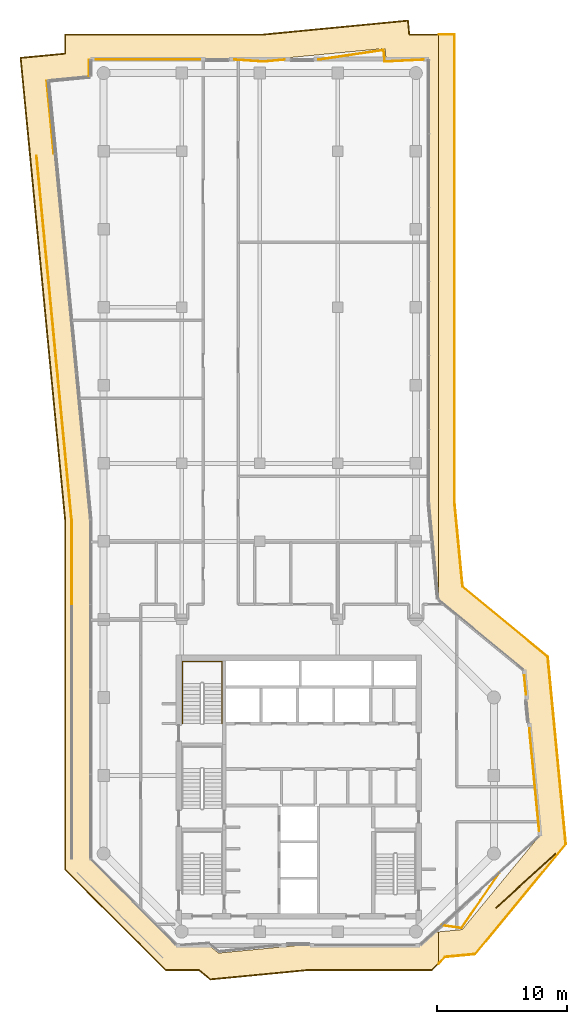
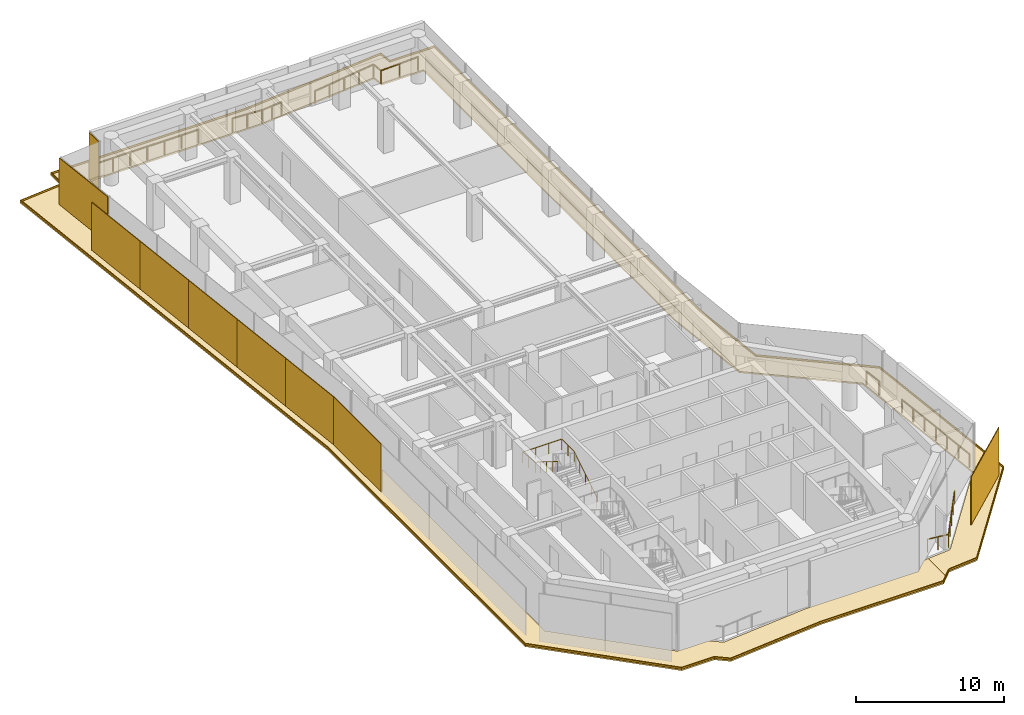
# One storey, part 23 of 23: 13 coverings, 7 railings.
"""IFC4 building model written with IfcOpenShell, lengths in metres."""

from ifc_helpers import new_model, si_unit, direction, frame, origin, origin_2d, place, context, subcontext, project, spatial, polyline, rectangle, circle, outline, extrude, material, layer, layer_set, type_object, element, save


model = new_model("IFC4")

# Units and contexts
model_context = context("Model", 3, precision=1e-05, world=origin(), true_north=direction((0.0, 1.0)))
body_context = subcontext(model_context, "Body", "Model", "MODEL_VIEW")
ifc_project = project(units=[si_unit("LENGTHUNIT", "METRE"), si_unit("AREAUNIT", "SQUARE_METRE"), si_unit("VOLUMEUNIT", "CUBIC_METRE"), si_unit("PLANEANGLEUNIT", "RADIAN"), si_unit("MASSUNIT", "GRAM", prefix="KILO")], contexts=[model_context])

# Site, building, storey
site_placement = place(None, origin())
site = spatial("IfcSite", under=ifc_project, at=site_placement, CompositionType="ELEMENT")
building_placement = place(site_placement, origin())
building = spatial("IfcBuilding", under=site, at=building_placement, Name="Welwitschia Terrace Campus", CompositionType="ELEMENT")
storey_placement = place(building_placement, frame((0.0, 0.0, 205.39990234375)))
storey = spatial("IfcBuildingStorey", under=building, at=storey_placement, Name="L45", CompositionType="ELEMENT", Elevation=205.39990234375)

# Coverings
ifc_material_1 = material(Name="Bronze mesh aluminium screen", Category="aluminium")
ifc_layer_1 = layer(ifc_material_1, 0.06005859375)
ifc_layer_set_1 = layer_set([ifc_layer_1], Name="Bronze mesh aluminium screen")
covering_type_1 = type_object("IfcCoveringType", Name="Bronze screen 60", PredefinedType="USERDEFINED", material=ifc_layer_set_1)
covering_1_placement = place(storey_placement, frame((-2.4599609375, 32.40576171875, 0.0), z_axis=(0.0, 0.0, 1.0), x_axis=(0.0, -1.0, 0.0)))
element("IfcCovering", 1, at=covering_1_placement, inside=storey, type_object=covering_type_1, Name="Screen L45.0.0", ObjectType="SCREEN", PredefinedType="USERDEFINED", context=body_context, shape_type="SweptSolid", body=[
    extrude(rectangle(XDim=6.50341796875, YDim=0.06005859375, at=origin_2d()), origin(), (0.0, 0.0, 1.0), 3.949951171875),
])
covering_2_placement = place(storey_placement, frame((32.444580078125, 7.900390625, 0.0), z_axis=(0.0, 0.0, 1.0), x_axis=(0.739585904921, 0.673062173385, 0.0)))
element("IfcCovering", 2, at=covering_2_placement, inside=storey, type_object=covering_type_1, Name="Screen L45.3.1", ObjectType="SCREEN", PredefinedType="USERDEFINED", context=body_context, shape_type="SweptSolid", body=[
    extrude(rectangle(XDim=6.191650390625, YDim=0.06005859375, at=origin_2d()), origin(), (0.0, 0.0, 1.0), 3.949951171875),
])
covering_3_placement = place(storey_placement, frame((-1.1201171875, 70.3876953125, 0.0), z_axis=(0.0, 0.0, 1.0), x_axis=(0.0, -1.0, 0.0)))
element("IfcCovering", 3, at=covering_3_placement, inside=storey, type_object=covering_type_1, Name="Screen L45.9.0", ObjectType="SCREEN", PredefinedType="USERDEFINED", context=body_context, shape_type="SweptSolid", body=[
    extrude(rectangle(XDim=1.264404296875, YDim=0.06005859375, at=origin_2d()), origin(), (0.0, 0.0, 1.0), 3.85009765625),
])
covering_4_placement = place(storey_placement, frame((-4.099853515625, 66.610107421875, 0.0), z_axis=(0.0, 0.0, 1.0), x_axis=(0.09584575252, -0.995396198367, 0.0)))
element("IfcCovering", 4, at=covering_4_placement, inside=storey, type_object=covering_type_1, Name="Screen L45.11.0", ObjectType="SCREEN", PredefinedType="USERDEFINED", context=body_context, shape_type="SweptSolid", body=[
    extrude(rectangle(XDim=5.633544921875, YDim=0.06005859375, at=origin_2d()), origin(), (0.0, 0.0, 1.0), 3.85009765625),
])
for number, where, z_axis, x_axis, name in (
    (5, (-4.891845703125, 60.854248046875, 0.0), (0.0, 0.0, 1.0), (0.09584575252, -0.995396198367, 0.0), "Screen L45.11.1"),
    (6, (-4.35009765625, 55.226806640625, 0.0), (0.0, 0.0, 1.0), (0.09584575252, -0.995396198367, 0.0), "Screen L45.11.2"),
    (7, (-3.80810546875, 49.59912109375, 0.0), (0.0, 0.0, 1.0), (0.09584575252, -0.995396198367, 0.0), "Screen L45.11.3"),
    (8, (-3.26611328125, 43.9716796875, 0.0), (0.0, 0.0, 1.0), (0.09584575252, -0.995396198367, 0.0), "Screen L45.11.4"),
    (9, (-2.724365234375, 38.34423828125, 0.0), (0.0, 0.0, 1.0), (0.09584575252, -0.995396198367, 0.0), "Screen L45.11.5"),
):
    element("IfcCovering", number, at=place(storey_placement, frame(where, z_axis=z_axis, x_axis=x_axis)), inside=storey, type_object=covering_type_1, Name=name, ObjectType="SCREEN", PredefinedType="USERDEFINED", context=body_context, shape_type="SweptSolid", body=[
        extrude(rectangle(XDim=5.633544921875, YDim=0.06005859375, at=origin_2d()), origin(), (0.0, 0.0, 1.0), 3.949951171875),
    ])

# Railings
ifc_material_2 = material(Name="Stainless steel grade 316", Category="steel")
railing_type_1 = type_object("IfcRailingType", Name="Guard 1100", PredefinedType="GUARDRAIL", material=ifc_material_2)
railing_1_placement = place(storey_placement, frame((-0.580078125, 71.030029296875, 0.0)))
element("IfcRailing", 10, at=railing_1_placement, inside=storey, type_object=railing_type_1, Name="Guard floor edge L45.0", PredefinedType="GUARDRAIL", context=body_context, shape_type="SweptSolid", body=[
    extrude(circle(Radius=0.02392578125, at=origin_2d()), frame((0.0, 0.0, 1.076171875), z_axis=(1.0, 0.0, 0.0), x_axis=(0.0, 1.0, 0.0)), (0.0, 0.0, 1.0), 7.998779296875),
    extrude(circle(Radius=0.02099609375, at=origin_2d()), origin(), (0.0, 0.0, 1.0), 1.052001953125),
    extrude(circle(Radius=0.02099609375, at=origin_2d()), frame((1.3330078125, 0.0, 0.0)), (0.0, 0.0, 1.0), 1.052001953125),
    extrude(circle(Radius=0.02099609375, at=origin_2d()), frame((2.666259765625, 0.0, 0.0)), (0.0, 0.0, 1.0), 1.052001953125),
    extrude(circle(Radius=0.02099609375, at=origin_2d()), frame((3.99951171875, 0.0, 0.0)), (0.0, 0.0, 1.0), 1.052001953125),
    extrude(circle(Radius=0.02099609375, at=origin_2d()), frame((5.33251953125, 0.0, 0.0)), (0.0, 0.0, 1.0), 1.052001953125),
    extrude(circle(Radius=0.02099609375, at=origin_2d()), frame((6.66552734375, 0.0, 0.0)), (0.0, 0.0, 1.0), 1.052001953125),
    extrude(circle(Radius=0.02099609375, at=origin_2d()), frame((7.998779296875, 0.0, 0.0)), (0.0, 0.0, 1.0), 1.052001953125),
])
railing_2_placement = place(storey_placement, frame((10.066162109375, 71.030029296875, 0.0)))
element("IfcRailing", 11, at=railing_2_placement, inside=storey, type_object=railing_type_1, Name="Guard floor edge L45.2", PredefinedType="GUARDRAIL", context=body_context, shape_type="SweptSolid", body=[
    extrude(circle(Radius=0.02392578125, at=origin_2d()), frame((0.0, 0.0, 1.076171875), z_axis=(0.997780844277, -0.066583682642, 0.0), x_axis=(0.066583682642, 0.997780844277, 0.0)), (0.0, 0.0, 1.0), 2.2548828125),
    extrude(circle(Radius=0.02392578125, at=origin_2d()), frame((2.25, -0.150146484375, 1.076171875), z_axis=(0.995391948155, 0.095889882412, 0.0), x_axis=(-0.095889882412, 0.995391948155, 0.0)), (0.0, 0.0, 1.0), 1.598876953125),
    extrude(circle(Radius=0.02099609375, at=origin_2d()), origin(), (0.0, 0.0, 1.0), 1.052001953125),
    extrude(circle(Radius=0.02099609375, at=origin_2d()), frame((1.125, -0.0751953125, 0.0)), (0.0, 0.0, 1.0), 1.052001953125),
    extrude(circle(Radius=0.02099609375, at=origin_2d()), frame((2.25, -0.150146484375, 0.0)), (0.0, 0.0, 1.0), 1.052001953125),
    extrude(circle(Radius=0.02099609375, at=origin_2d()), frame((3.0458984375, -0.073486328125, 0.0)), (0.0, 0.0, 1.0), 1.052001953125),
    extrude(circle(Radius=0.02099609375, at=origin_2d()), frame((3.841552734375, 0.003173828125, 0.0)), (0.0, 0.0, 1.0), 1.052001953125),
])
railing_3_placement = place(storey_placement, frame((16.527587890625, 71.030029296875, 0.0)))
element("IfcRailing", 12, at=railing_3_placement, inside=storey, type_object=railing_type_1, Name="Guard floor edge L45.4", PredefinedType="GUARDRAIL", context=body_context, shape_type="SweptSolid", body=[
    extrude(circle(Radius=0.02392578125, at=origin_2d()), frame((0.0, 0.0, 1.076171875), z_axis=(0.989307292943, 0.145846083695, 0.0), x_axis=(-0.145846083695, 0.989307292943, 0.0)), (0.0, 0.0, 1.0), 5.05029296875),
    extrude(circle(Radius=0.02392578125, at=origin_2d()), frame((4.996337890625, 0.736572265625, 1.076171875), z_axis=(0.0959212893, -0.99538892211, 0.0), x_axis=(0.99538892211, 0.0959212893, 0.0)), (0.0, 0.0, 1.0), 0.890869140625),
    extrude(circle(Radius=0.02392578125, at=origin_2d()), frame((5.081787109375, -0.150146484375, 1.076171875), z_axis=(0.998725174502, 0.050477973563, 0.0), x_axis=(-0.050477973563, 0.998725174502, 0.0)), (0.0, 0.0, 1.0), 2.974609375),
    extrude(circle(Radius=0.02099609375, at=origin_2d()), origin(), (0.0, 0.0, 1.0), 1.052001953125),
    extrude(circle(Radius=0.02099609375, at=origin_2d()), frame((1.2490234375, 0.18408203125, 0.0)), (0.0, 0.0, 1.0), 1.052001953125),
    extrude(circle(Radius=0.02099609375, at=origin_2d()), frame((2.498046875, 0.3681640625, 0.0)), (0.0, 0.0, 1.0), 1.052001953125),
    extrude(circle(Radius=0.02099609375, at=origin_2d()), frame((3.747314453125, 0.552490234375, 0.0)), (0.0, 0.0, 1.0), 1.052001953125),
    extrude(circle(Radius=0.02099609375, at=origin_2d()), frame((4.996337890625, 0.736572265625, 0.0)), (0.0, 0.0, 1.0), 1.052001953125),
    extrude(circle(Radius=0.02099609375, at=origin_2d()), frame((5.081787109375, -0.150146484375, 0.0)), (0.0, 0.0, 1.0), 1.052001953125),
    extrude(circle(Radius=0.02099609375, at=origin_2d()), frame((6.567138671875, -0.0751953125, 0.0)), (0.0, 0.0, 1.0), 1.052001953125),
    extrude(circle(Radius=0.02099609375, at=origin_2d()), frame((8.052490234375, 0.0, 0.0)), (0.0, 0.0, 1.0), 1.052001953125),
])
railing_4_placement = place(storey_placement, frame((30.4326171875, 8.5205078125, 0.0)))
element("IfcRailing", 13, at=railing_4_placement, inside=storey, type_object=railing_type_1, Name="Guard floor edge L45.5", PredefinedType="GUARDRAIL", context=body_context, shape_type="SweptSolid", body=[
    extrude(circle(Radius=0.02392578125, at=origin_2d()), frame((0.0, 0.0, 1.076171875), z_axis=(-0.567102785022, -0.823647030724, 0.0), x_axis=(0.823647030724, -0.567102785022, 0.0)), (0.0, 0.0, 1.0), 5.161865234375),
    extrude(circle(Radius=0.02392578125, at=origin_2d()), frame((-2.92724609375, -4.25146484375, 1.076171875), z_axis=(-0.989772206748, 0.142656856647, 0.0), x_axis=(-0.142656856647, -0.989772206748, 0.0)), (0.0, 0.0, 1.0), 1.521484375),
    extrude(circle(Radius=0.02099609375, at=origin_2d()), origin(), (0.0, 0.0, 1.0), 1.052001953125),
    extrude(circle(Radius=0.02099609375, at=origin_2d()), frame((-0.73193359375, -1.06298828125, 0.0)), (0.0, 0.0, 1.0), 1.052001953125),
    extrude(circle(Radius=0.02099609375, at=origin_2d()), frame((-1.463623046875, -2.125732421875, 0.0)), (0.0, 0.0, 1.0), 1.052001953125),
    extrude(circle(Radius=0.02099609375, at=origin_2d()), frame((-2.1953125, -3.1884765625, 0.0)), (0.0, 0.0, 1.0), 1.052001953125),
    extrude(circle(Radius=0.02099609375, at=origin_2d()), frame((-2.92724609375, -4.25146484375, 0.0)), (0.0, 0.0, 1.0), 1.052001953125),
    extrude(circle(Radius=0.02099609375, at=origin_2d()), frame((-3.68017578125, -4.14306640625, 0.0)), (0.0, 0.0, 1.0), 1.052001953125),
    extrude(circle(Radius=0.02099609375, at=origin_2d()), frame((-4.43310546875, -4.034423828125, 0.0)), (0.0, 0.0, 1.0), 1.052001953125),
])
railing_5_placement = place(storey_placement, frame((32.330078125, 23.7041015625, 0.0)))
element("IfcRailing", 14, at=railing_5_placement, inside=storey, type_object=railing_type_1, Name="Guard floor edge L45.6", PredefinedType="GUARDRAIL", context=body_context, shape_type="SweptSolid", body=[
    extrude(circle(Radius=0.02392578125, at=origin_2d()), frame((0.0, 0.0, 1.076171875), z_axis=(0.095925014615, -0.99538856311, 0.0), x_axis=(0.99538856311, 0.095925014615, 0.0)), (0.0, 0.0, 1.0), 1.466064453125),
    extrude(circle(Radius=0.02099609375, at=origin_2d()), origin(), (0.0, 0.0, 1.0), 1.052001953125),
    extrude(circle(Radius=0.02099609375, at=origin_2d()), frame((0.140625, -1.459228515625, 0.0)), (0.0, 0.0, 1.0), 1.052001953125),
])
railing_6_placement = place(storey_placement, frame((32.724609375, 19.609619140625, 0.0)))
element("IfcRailing", 15, at=railing_6_placement, inside=storey, type_object=railing_type_1, Name="Guard floor edge L45.7", PredefinedType="GUARDRAIL", context=body_context, shape_type="SweptSolid", body=[
    extrude(circle(Radius=0.02392578125, at=origin_2d()), frame((0.0, 0.0, 1.076171875), z_axis=(0.09583678089, -0.995397062196, 0.0), x_axis=(0.995397062196, 0.09583678089, 0.0)), (0.0, 0.0, 1.0), 7.89208984375),
    extrude(circle(Radius=0.02099609375, at=origin_2d()), origin(), (0.0, 0.0, 1.0), 1.052001953125),
    extrude(circle(Radius=0.02099609375, at=origin_2d()), frame((0.1259765625, -1.309326171875, 0.0)), (0.0, 0.0, 1.0), 1.052001953125),
    extrude(circle(Radius=0.02099609375, at=origin_2d()), frame((0.252197265625, -2.61865234375, 0.0)), (0.0, 0.0, 1.0), 1.052001953125),
    extrude(circle(Radius=0.02099609375, at=origin_2d()), frame((0.378173828125, -3.927734375, 0.0)), (0.0, 0.0, 1.0), 1.052001953125),
    extrude(circle(Radius=0.02099609375, at=origin_2d()), frame((0.504150390625, -5.237060546875, 0.0)), (0.0, 0.0, 1.0), 1.052001953125),
    extrude(circle(Radius=0.02099609375, at=origin_2d()), frame((0.63037109375, -6.54638671875, 0.0)), (0.0, 0.0, 1.0), 1.052001953125),
    extrude(circle(Radius=0.02099609375, at=origin_2d()), frame((0.75634765625, -7.855712890625, 0.0)), (0.0, 0.0, 1.0), 1.052001953125),
])
ifc_material_3 = material(Name="Steel S355", Category="steel")
railing_type_2 = type_object("IfcRailingType", Name="Stair handrail 900", PredefinedType="HANDRAIL", material=ifc_material_3)
railing_7_placement = place(storey_placement, frame((9.10009765625, 20.0, 0.175048828125)))
element("IfcRailing", 16, at=railing_7_placement, inside=storey, type_object=railing_type_2, Name="L45 S4 stair handrail", PredefinedType="HANDRAIL", context=body_context, shape_type="SweptSolid", body=[
    extrude(circle(Radius=0.02392578125, at=origin_2d()), frame((0.0, 0.0, 0.8759765625), z_axis=(0.0, 0.847998304005, 0.529998940003), x_axis=(-1.0, 0.0, 0.0)), (0.0, 0.0, 1.0), 3.632080078125),
    extrude(circle(Radius=0.02392578125, at=origin_2d()), frame((0.0, 3.080078125, 2.80078125), z_axis=(0.0, 1.0, 0.0), x_axis=(-1.0, 0.0, 0.0)), (0.0, 0.0, 1.0), 1.669921875),
    extrude(circle(Radius=0.02392578125, at=origin_2d()), frame((0.0, 4.75, 2.80078125), z_axis=(-1.0, 0.0, 0.0), x_axis=(0.0, -1.0, 0.0)), (0.0, 0.0, 1.0), 3.050048828125),
    extrude(circle(Radius=0.02392578125, at=origin_2d()), frame((-3.050048828125, 4.75, 2.80078125), z_axis=(0.0, -0.99455077262, 0.104253348533), x_axis=(1.0, 0.0, 0.0)), (0.0, 0.0, 1.0), 1.678955078125),
    extrude(circle(Radius=0.02392578125, at=origin_2d()), frame((-3.050048828125, 3.080078125, 2.97607421875), z_axis=(0.0, -0.847998304005, 0.529998940003), x_axis=(1.0, 0.0, 0.0)), (0.0, 0.0, 1.0), 3.632080078125),
    extrude(circle(Radius=0.02099609375, at=origin_2d()), origin(), (0.0, 0.0, 1.0), 0.851806640625),
    extrude(circle(Radius=0.02099609375, at=origin_2d()), frame((0.0, 0.77001953125, 0.481201171875)), (0.0, 0.0, 1.0), 0.851806640625),
    extrude(circle(Radius=0.02099609375, at=origin_2d()), frame((0.0, 1.5400390625, 0.96240234375)), (0.0, 0.0, 1.0), 0.851806640625),
    extrude(circle(Radius=0.02099609375, at=origin_2d()), frame((0.0, 2.31005859375, 1.44384765625)), (0.0, 0.0, 1.0), 0.851806640625),
    extrude(circle(Radius=0.02099609375, at=origin_2d()), frame((0.0, 3.080078125, 1.925048828125)), (0.0, 0.0, 1.0), 0.851806640625),
    extrude(circle(Radius=0.02099609375, at=origin_2d()), frame((0.0, 3.9150390625, 1.925048828125)), (0.0, 0.0, 1.0), 0.851806640625),
    extrude(circle(Radius=0.02099609375, at=origin_2d()), frame((0.0, 4.75, 1.925048828125)), (0.0, 0.0, 1.0), 0.851806640625),
    extrude(circle(Radius=0.02099609375, at=origin_2d()), frame((-1.0166015625, 4.75, 1.925048828125)), (0.0, 0.0, 1.0), 0.851806640625),
    extrude(circle(Radius=0.02099609375, at=origin_2d()), frame((-2.033447265625, 4.75, 1.925048828125)), (0.0, 0.0, 1.0), 0.851806640625),
    extrude(circle(Radius=0.02099609375, at=origin_2d()), frame((-3.050048828125, 4.75, 1.925048828125)), (0.0, 0.0, 1.0), 0.851806640625),
    extrude(circle(Radius=0.02099609375, at=origin_2d()), frame((-3.050048828125, 3.9150390625, 2.0126953125)), (0.0, 0.0, 1.0), 0.851806640625),
    extrude(circle(Radius=0.02099609375, at=origin_2d()), frame((-3.050048828125, 3.080078125, 2.10009765625)), (0.0, 0.0, 1.0), 0.851806640625),
    extrude(circle(Radius=0.02099609375, at=origin_2d()), frame((-3.050048828125, 2.31005859375, 2.581298828125)), (0.0, 0.0, 1.0), 0.851806640625),
    extrude(circle(Radius=0.02099609375, at=origin_2d()), frame((-3.050048828125, 1.5400390625, 3.0625)), (0.0, 0.0, 1.0), 0.851806640625),
    extrude(circle(Radius=0.02099609375, at=origin_2d()), frame((-3.050048828125, 0.77001953125, 3.5439453125)), (0.0, 0.0, 1.0), 0.851806640625),
    extrude(circle(Radius=0.02099609375, at=origin_2d()), frame((-3.050048828125, 0.0, 4.025146484375)), (0.0, 0.0, 1.0), 0.851806640625),
])

# Coverings
ifc_material_4 = material(Name="Bronze anodised aluminium", Category="aluminium")
ifc_layer_2 = layer(ifc_material_4, 0.1201171875)
ifc_layer_set_2 = layer_set([ifc_layer_2], Name="Bronze anodised aluminium")
covering_type_2 = type_object("IfcCoveringType", Name="Sunshade band 2000", PredefinedType="USERDEFINED", material=ifc_layer_set_2)
covering_5_placement = place(storey_placement, frame((0.0, 0.0, -0.25)))
element("IfcCovering", 17, at=covering_5_placement, inside=storey, type_object=covering_type_2, Name="SUNSHADE L45.SW0", ObjectType="SUNSHADE", PredefinedType="USERDEFINED", context=body_context, shape_type="SweptSolid", body=[
    extrude(outline(polyline([(-3.0, 71.534912109375), (-3.0, 73.0), (12.21435546875, 73.0), (23.430908203125, 74.080078125), (23.534912109375, 73.0), (25.75146484375, 73.0), (25.75146484375, 29.4765625), (25.71337890625, 29.5078125), (25.0, 36.917724609375), (25.0, 71.0), (21.71826171875, 71.0), (21.6318359375, 71.8974609375), (12.310546875, 71.0), (-1.0, 71.0), (-1.0, 69.71826171875), (-4.24853515625, 69.405517578125), (-1.0, 35.6689453125), (-1.0, 9.585693359375), (5.585693359375, 3.0), (8.035888671875, 3.0), (8.824462890625, 2.349853515625), (15.57666015625, 3.0), (24.414306640625, 3.0), (25.355712890625, 3.941650390625), (25.75146484375, 3.979736328125), (25.75146484375, 1.5087890625), (25.24267578125, 1.0), (15.6728515625, 1.0), (8.191650390625, 0.279541015625), (7.317626953125, 1.0), (4.75732421875, 1.0), (-3.0, 8.75732421875), (-3.0, 35.57275390625), (-6.430908203125, 71.20458984375), (-3.0, 71.534912109375)])), origin(), (0.0, 0.0, 1.0), 0.1201171875),
])
covering_6_placement = place(storey_placement, frame((0.0, 0.0, -0.25)))
element("IfcCovering", 18, at=covering_6_placement, inside=storey, type_object=covering_type_2, Name="SUNSHADE L45.SE0", ObjectType="SUNSHADE", PredefinedType="USERDEFINED", context=body_context, shape_type="SweptSolid", body=[
    extrude(outline(polyline([(27.0, 73.0), (27.0, 37.013916015625), (27.625, 30.524169921875), (34.17236328125, 25.126708984375), (35.560791015625, 10.708251953125), (28.58251953125, 2.2431640625), (26.26220703125, 2.019775390625), (25.75146484375, 1.5087890625), (25.75146484375, 3.979736328125), (27.56640625, 4.154541015625), (33.490478515625, 11.341064453125), (32.260986328125, 24.110595703125), (25.75146484375, 29.4765625), (25.75146484375, 73.0), (27.0, 73.0)])), origin(), (0.0, 0.0, 1.0), 0.1201171875),
])
ifc_material_5 = material(Name="Bronze anodised aluminium", Category="aluminium")
ifc_layer_3 = layer(ifc_material_5, 0.06005859375)
ifc_layer_set_3 = layer_set([ifc_layer_3], Name="Bronze anodised aluminium")
covering_type_3 = type_object("IfcCoveringType", Name="Sunshade lip 60", PredefinedType="USERDEFINED", material=ifc_layer_set_3)
covering_7_placement = place(storey_placement, frame((0.0, 0.0, -0.1298828125)))
element("IfcCovering", 19, at=covering_7_placement, inside=storey, type_object=covering_type_3, Name="SUNSHADE LIP L45.SW0.0", ObjectType="SUNSHADE", PredefinedType="USERDEFINED", context=body_context, shape_type="SweptSolid", body=[
    extrude(outline(polyline([(-3.0, 73.0), (12.21435546875, 73.0), (23.430908203125, 74.080078125), (23.534912109375, 73.0), (25.75146484375, 73.0), (25.75146484375, 72.93994140625), (23.48046875, 72.93994140625), (23.376953125, 74.0146484375), (12.21728515625, 72.93994140625), (-2.93994140625, 72.93994140625), (-2.93994140625, 71.48046875), (-6.365478515625, 71.150634765625), (-2.93994140625, 35.57568359375), (-2.93994140625, 8.7822265625), (4.7822265625, 1.06005859375), (7.33935546875, 1.06005859375), (8.210693359375, 0.341796875), (15.669921875, 1.06005859375), (25.2177734375, 1.06005859375), (25.75146484375, 1.59375), (25.75146484375, 1.5087890625), (25.24267578125, 1.0), (15.6728515625, 1.0), (8.191650390625, 0.279541015625), (7.317626953125, 1.0), (4.75732421875, 1.0), (-3.0, 8.75732421875), (-3.0, 35.57275390625), (-6.430908203125, 71.20458984375), (-3.0, 71.534912109375), (-3.0, 73.0)])), origin(), (0.0, 0.0, 1.0), 0.1298828125),
])
covering_8_placement = place(storey_placement, frame((0.0, 0.0, -0.1298828125)))
element("IfcCovering", 20, at=covering_8_placement, inside=storey, type_object=covering_type_3, Name="SUNSHADE LIP L45.SE0.0", ObjectType="SUNSHADE", PredefinedType="USERDEFINED", context=body_context, shape_type="SweptSolid", body=[
    extrude(outline(polyline([(27.0, 37.013916015625), (27.625, 30.524169921875), (34.17236328125, 25.126708984375), (35.560791015625, 10.708251953125), (28.58251953125, 2.2431640625), (26.26220703125, 2.019775390625), (25.75146484375, 1.5087890625), (25.75146484375, 1.59375), (26.235107421875, 2.077392578125), (28.552001953125, 2.30029296875), (35.49853515625, 10.727294921875), (34.114990234375, 25.09619140625), (27.5673828125, 30.49365234375), (26.93994140625, 37.010986328125), (26.93994140625, 72.93994140625), (25.75146484375, 72.93994140625), (25.75146484375, 73.0), (27.0, 73.0), (27.0, 37.013916015625)])), origin(), (0.0, 0.0, 1.0), 0.1298828125),
])

save(model, "model.ifc")
